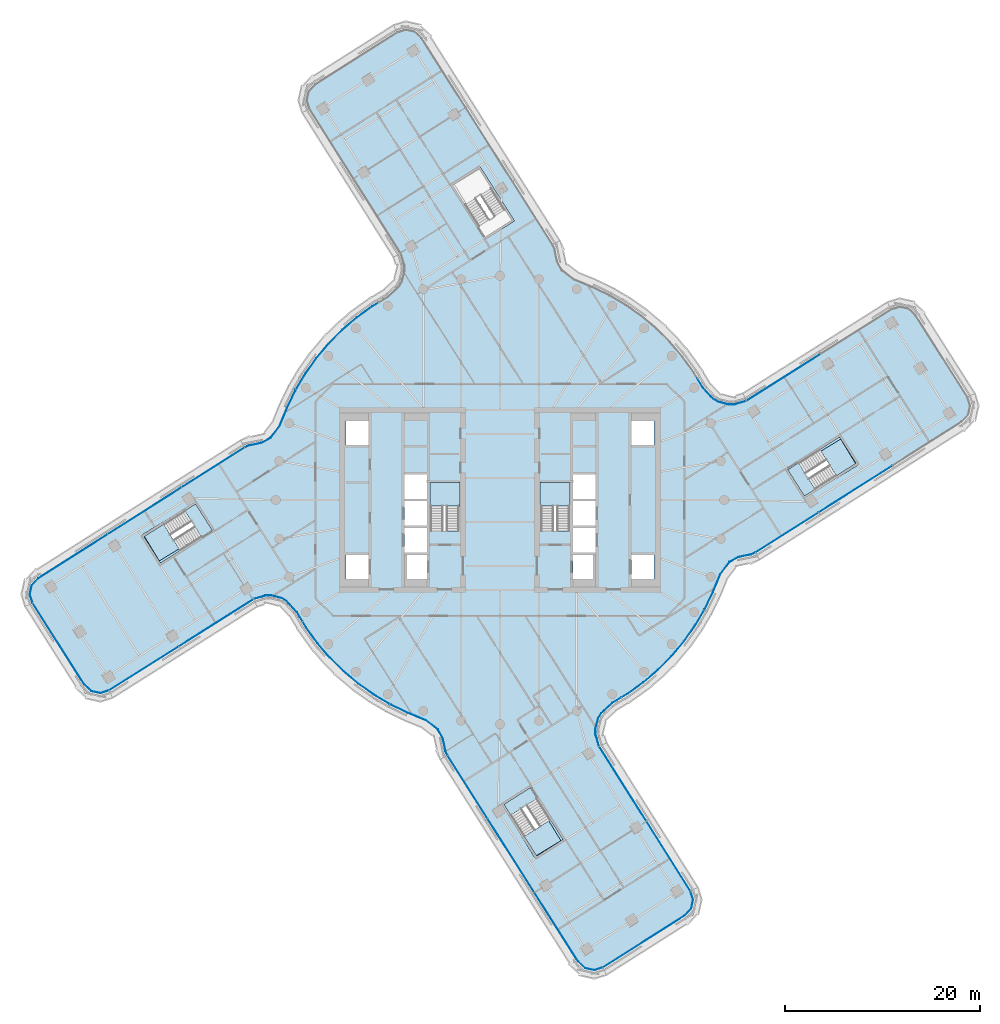
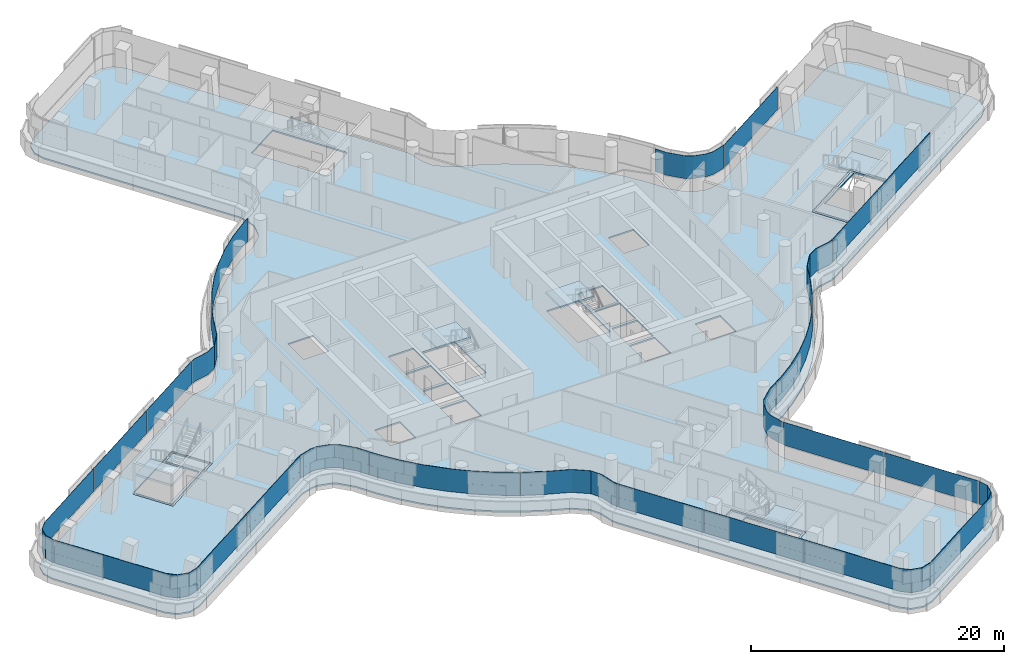
# One storey, part 21 of 36: 24 plates, 9 slabs, 17 elements without a shape of their own.
"""IFC4 building model written with IfcOpenShell, lengths in metres."""

from ifc_helpers import new_model, si_unit, direction, frame, origin, place, context, subcontext, project, spatial, polyline, outline, extrude, material, layer, layer_set, type_object, element, aggregate, save


model = new_model("IFC4")

# Units and contexts
model_context = context("Model", 3, precision=1e-05, world=origin(), true_north=direction((0.0, 1.0)))
body_context = subcontext(model_context, "Body", "Model", "MODEL_VIEW")
ifc_project = project(units=[si_unit("LENGTHUNIT", "METRE"), si_unit("AREAUNIT", "SQUARE_METRE"), si_unit("VOLUMEUNIT", "CUBIC_METRE"), si_unit("PLANEANGLEUNIT", "RADIAN"), si_unit("MASSUNIT", "GRAM", prefix="KILO")], contexts=[model_context])

# Site, building, storey
site_placement = place(None, origin())
site = spatial("IfcSite", under=ifc_project, at=site_placement, CompositionType="ELEMENT")
building_placement = place(site_placement, origin())
building = spatial("IfcBuilding", under=site, at=building_placement, Name="Tamarind Cross Interchange Tower", CompositionType="ELEMENT")
storey_placement = place(building_placement, frame((0.0, 0.0, 151.75)))
storey = spatial("IfcBuildingStorey", under=building, at=storey_placement, Name="L37", CompositionType="ELEMENT", Elevation=151.75)

# Slabs
ifc_material_1 = material(Name="Concrete C35", Category="concrete")
ifc_layer_1 = layer(ifc_material_1, 0.139892578125)
ifc_layer_set_1 = layer_set([ifc_layer_1], Name="Concrete C35")
slab_type_1 = type_object("IfcSlabType", Name="Composite slab 140 Concrete C35", PredefinedType="FLOOR", material=ifc_layer_set_1)
slab_1_placement = place(storey_placement, frame((0.0, 0.0, -0.139892578125)))
element("IfcSlab", 1, at=slab_1_placement, inside=storey, type_object=slab_type_1, Name="Floor slab L37", PredefinedType="FLOOR", context=body_context, shape_type="SweptSolid", body=[
    extrude(outline(polyline([(5.7783203125, 25.831787109375), (5.558349609375, 26.305419921875), (-7.887451171875, 47.501953125), (-8.6494140625, 48.202880859375), (-9.65966796875, 48.428955078125), (-10.647705078125, 48.119384765625), (-19.092041015625, 42.762939453125), (-19.79296875, 42.0009765625), (-20.018798828125, 40.99072265625), (-19.70947265625, 40.002685546875), (-10.350341796875, 25.1796875), (-10.002685546875, 24.02294921875), (-9.992919921875, 23.493408203125), (-10.26220703125, 22.458251953125), (-10.529296875, 22.000732421875), (-11.64892578125, 20.97265625), (-13.2109375, 20.031982421875), (-14.820068359375, 18.87255859375), (-16.327880859375, 17.584228515625), (-17.72412109375, 16.17578125), (-18.99951171875, 14.656982421875), (-20.14501953125, 13.0380859375), (-21.15283203125, 11.329833984375), (-22.01611328125, 9.54443359375), (-22.7685546875, 7.71044921875), (-23.6748046875, 6.52001953125), (-24.509521484375, 6.052978515625), (-25.1025390625, 5.9248046875), (-25.831787109375, 5.7783203125), (-26.305419921875, 5.558349609375), (-47.501953125, -7.887451171875), (-48.202880859375, -8.6494140625), (-48.428955078125, -9.65966796875), (-48.119384765625, -10.647705078125), (-42.762939453125, -19.092041015625), (-42.0009765625, -19.79296875), (-40.99072265625, -20.018798828125), (-40.002685546875, -19.70947265625), (-25.1796875, -10.350341796875), (-24.02294921875, -10.002685546875), (-23.493408203125, -9.992919921875), (-22.458251953125, -10.26220703125), (-22.000732421875, -10.529296875), (-20.97265625, -11.64892578125), (-20.031982421875, -13.2109375), (-18.87255859375, -14.820068359375), (-17.584228515625, -16.327880859375), (-16.17578125, -17.72412109375), (-14.656982421875, -18.99951171875), (-13.0380859375, -20.14501953125), (-11.329833984375, -21.15283203125), (-9.54443359375, -22.01611328125), (-7.71044921875, -22.7685546875), (-6.52001953125, -23.6748046875), (-6.052978515625, -24.509521484375), (-5.9248046875, -25.1025390625), (-5.7783203125, -25.831787109375), (-5.558349609375, -26.305419921875), (7.887451171875, -47.501953125), (8.6494140625, -48.202880859375), (9.65966796875, -48.428955078125), (10.647705078125, -48.119384765625), (19.092041015625, -42.762939453125), (19.79296875, -42.0009765625), (20.018798828125, -40.99072265625), (19.70947265625, -40.002685546875), (10.350341796875, -25.1796875), (10.002685546875, -24.02294921875), (9.992919921875, -23.493408203125), (10.26220703125, -22.458251953125), (10.529296875, -22.000732421875), (11.64892578125, -20.97265625), (13.2109375, -20.031982421875), (14.820068359375, -18.87255859375), (16.327880859375, -17.584228515625), (17.72412109375, -16.17578125), (18.99951171875, -14.656982421875), (20.14501953125, -13.0380859375), (21.15283203125, -11.329833984375), (22.01611328125, -9.54443359375), (22.7685546875, -7.71044921875), (23.6748046875, -6.52001953125), (24.509521484375, -6.052978515625), (25.1025390625, -5.9248046875), (25.831787109375, -5.7783203125), (26.305419921875, -5.558349609375), (47.501953125, 7.887451171875), (48.202880859375, 8.6494140625), (48.428955078125, 9.65966796875), (48.119384765625, 10.647705078125), (42.762939453125, 19.092041015625), (42.0009765625, 19.79296875), (40.99072265625, 20.018798828125), (40.002685546875, 19.70947265625), (25.1796875, 10.350341796875), (24.02294921875, 10.002685546875), (23.493408203125, 9.992919921875), (22.458251953125, 10.26220703125), (22.000732421875, 10.529296875), (20.97265625, 11.64892578125), (20.031982421875, 13.2109375), (18.87255859375, 14.820068359375), (17.584228515625, 16.327880859375), (16.17578125, 17.72412109375), (14.656982421875, 18.99951171875), (13.0380859375, 20.14501953125), (11.329833984375, 21.15283203125), (9.54443359375, 22.01611328125), (7.71044921875, 22.7685546875), (6.52001953125, 23.6748046875), (6.052978515625, 24.509521484375), (5.9248046875, 25.1025390625), (5.7783203125, 25.831787109375)]), holes=[polyline([(-7.5, -8.125), (-9.800048828125, -8.125), (-9.800048828125, -5.625), (-7.5, -5.625), (-7.5, -8.125)]), polyline([(-13.5, -8.125), (-15.800048828125, -8.125), (-15.800048828125, -5.625), (-13.5, -5.625), (-13.5, -8.125)]), polyline([(-31.15771484375, -0.125), (-31.050537109375, -0.293701171875), (-29.33642578125, -2.99609375), (-29.2294921875, -3.164794921875), (-34.88720703125, -6.75390625), (-34.994140625, -6.5849609375), (-36.708251953125, -3.8828125), (-36.8154296875, -3.7138671875), (-36.57470703125, -3.56103515625), (-36.60595703125, -3.509765625), (-33.79638671875, -1.798583984375), (-31.15771484375, -0.125)]), polyline([(-7.5, -5.375), (-9.800048828125, -5.375), (-9.800048828125, -2.875), (-7.5, -2.875), (-7.5, -5.375)]), polyline([(-7.5, -2.625), (-9.800048828125, -2.625), (-9.800048828125, -0.125), (-7.5, -0.125), (-7.5, -2.625)]), polyline([(-4.199951171875, 1.800048828125), (-4.199951171875, -3.18798828125), (-7.14990234375, -3.18798828125), (-7.14990234375, 1.800048828125), (-4.199951171875, 1.800048828125)]), polyline([(-7.5, 0.125), (-9.800048828125, 0.125), (-9.800048828125, 2.625), (-7.5, 2.625), (-7.5, 0.125)]), polyline([(-13.5, 5.625), (-15.800048828125, 5.625), (-15.800048828125, 8.125), (-13.5, 8.125), (-13.5, 5.625)]), polyline([(1.482177734375, 28.62451171875), (1.313232421875, 28.517333984375), (-1.388916015625, 26.80322265625), (-1.557861328125, 26.696044921875), (-5.146728515625, 32.353759765625), (-4.977783203125, 32.4609375), (-2.275634765625, 34.175048828125), (-2.106689453125, 34.2822265625), (-1.953857421875, 34.041015625), (-1.94921875, 34.043701171875), (-1.798583984375, 33.79638671875), (1.482177734375, 28.62451171875)]), polyline([(0.125, -31.15771484375), (0.293701171875, -31.050537109375), (2.99609375, -29.33642578125), (3.164794921875, -29.2294921875), (6.75390625, -34.88720703125), (6.5849609375, -34.994140625), (3.8828125, -36.708251953125), (3.7138671875, -36.8154296875), (3.56103515625, -36.57470703125), (3.509765625, -36.60595703125), (1.798583984375, -33.79638671875), (0.125, -31.15771484375)]), polyline([(13.5, -5.625), (15.800048828125, -5.625), (15.800048828125, -8.125), (13.5, -8.125), (13.5, -5.625)]), polyline([(7.5, -5.625), (9.800048828125, -5.625), (9.800048828125, -8.125), (7.5, -8.125), (7.5, -5.625)]), polyline([(7.5, -2.875), (9.800048828125, -2.875), (9.800048828125, -5.375), (7.5, -5.375), (7.5, -2.875)]), polyline([(7.5, -0.125), (9.800048828125, -0.125), (9.800048828125, -2.625), (7.5, -2.625), (7.5, -0.125)]), polyline([(7.14990234375, 1.800048828125), (7.14990234375, -3.18798828125), (4.199951171875, -3.18798828125), (4.199951171875, 1.800048828125), (7.14990234375, 1.800048828125)]), polyline([(7.5, 2.625), (9.800048828125, 2.625), (9.800048828125, 0.125), (7.5, 0.125), (7.5, 2.625)]), polyline([(31.15771484375, 0.125), (31.050537109375, 0.293701171875), (29.33642578125, 2.99609375), (29.2294921875, 3.164794921875), (34.88720703125, 6.75390625), (34.994140625, 6.5849609375), (36.708251953125, 3.8828125), (36.8154296875, 3.7138671875), (36.57470703125, 3.56103515625), (36.60595703125, 3.509765625), (33.79638671875, 1.798583984375), (31.15771484375, 0.125)]), polyline([(15.800048828125, 8.125), (15.800048828125, 5.625), (13.5, 5.625), (13.5, 8.125), (15.800048828125, 8.125)])]), origin(), (0.0, 0.0, 1.0), 0.139892578125),
])
slab_2_placement = place(storey_placement, frame((0.0, 0.0, -0.139892578125)))
element("IfcSlab", 2, at=slab_2_placement, inside=storey, type_object=slab_type_1, Name="Floor slab L37", PredefinedType="FLOOR", context=body_context, shape_type="SweptSolid", body=[
    extrude(outline(polyline([(-36.539306640625, -3.775634765625), (-34.8251953125, -6.477783203125), (-29.50537109375, -3.10302734375), (-31.219482421875, -0.40087890625), (-32.327392578125, -1.103759765625), (-30.704345703125, -3.662353515625), (-34.94140625, -6.242919921875), (-36.470703125, -3.73193359375), (-36.539306640625, -3.775634765625)])), origin(), (0.0, 0.0, 1.0), 0.139892578125),
])
slab_3_placement = place(storey_placement, frame((0.0, 0.0, -0.139892578125)))
element("IfcSlab", 3, at=slab_3_placement, inside=storey, type_object=slab_type_1, Name="Floor slab L37", PredefinedType="FLOOR", context=body_context, shape_type="SweptSolid", body=[
    extrude(outline(polyline([(3.775634765625, -36.539306640625), (6.477783203125, -34.8251953125), (3.10302734375, -29.50537109375), (0.40087890625, -31.219482421875), (1.103759765625, -32.327392578125), (3.662353515625, -30.704345703125), (6.242919921875, -34.94140625), (3.73193359375, -36.470703125), (3.775634765625, -36.539306640625)])), origin(), (0.0, 0.0, 1.0), 0.139892578125),
])
slab_4_placement = place(storey_placement, frame((0.0, 0.0, -0.139892578125)))
element("IfcSlab", 4, at=slab_4_placement, inside=storey, type_object=slab_type_1, Name="Floor slab L37", PredefinedType="FLOOR", context=body_context, shape_type="SweptSolid", body=[
    extrude(outline(polyline([(36.539306640625, 3.775634765625), (34.8251953125, 6.477783203125), (29.50537109375, 3.10302734375), (31.219482421875, 0.40087890625), (32.327392578125, 1.103759765625), (30.704345703125, 3.662353515625), (34.94140625, 6.242919921875), (36.470703125, 3.73193359375), (36.539306640625, 3.775634765625)])), origin(), (0.0, 0.0, 1.0), 0.139892578125),
])

# Stair, slab
ifc_material_2 = material(Name="Exit stair")
stair_type = type_object("IfcStairType", Name="Exit stair", PredefinedType="HALF_TURN_STAIR", material=ifc_material_2)
stair_1_placement = place(storey_placement, origin())
stair_1 = element("IfcStair", 5, at=stair_1_placement, inside=storey, type_object=stair_type, Name="L37 exit stair ST1", PredefinedType="HALF_TURN_STAIR")
ifc_material_3 = material(Name="Concrete C40", Category="concrete")
ifc_layer_2 = layer(ifc_material_3, 0.199951171875)
ifc_layer_set_2 = layer_set([ifc_layer_2], Name="Concrete C40")
slab_type_2 = type_object("IfcSlabType", Name="Stair landing", PredefinedType="LANDING", material=ifc_layer_set_2)
slab_5_placement = place(storey_placement, frame((0.0, 0.0, 1.675048828125)))
slab_5 = element("IfcSlab", 6, at=slab_5_placement, type_object=slab_type_2, Name="ST1 landing 1", PredefinedType="LANDING", context=body_context, shape_type="SweptSolid", body=[
    extrude(outline(polyline([(-4.10009765625, -0.60009765625), (-4.10009765625, 1.800048828125), (-7.199951171875, 1.800048828125), (-7.199951171875, -0.60009765625), (-4.10009765625, -0.60009765625)])), origin(), (0.0, 0.0, 1.0), 0.199951171875),
])
aggregate(stair_1, [slab_5])

stair_2_placement = place(storey_placement, origin())
stair_2 = element("IfcStair", 7, at=stair_2_placement, inside=storey, type_object=stair_type, Name="L37 exit stair ST2", PredefinedType="HALF_TURN_STAIR")
slab_6_placement = place(storey_placement, frame((0.0, 0.0, 1.675048828125)))
slab_6 = element("IfcSlab", 8, at=slab_6_placement, type_object=slab_type_2, Name="ST2 landing 1", PredefinedType="LANDING", context=body_context, shape_type="SweptSolid", body=[
    extrude(outline(polyline([(7.199951171875, -0.60009765625), (7.199951171875, 1.800048828125), (4.10009765625, 1.800048828125), (4.10009765625, -0.60009765625), (7.199951171875, -0.60009765625)])), origin(), (0.0, 0.0, 1.0), 0.199951171875),
])
aggregate(stair_2, [slab_6])

stair_3_placement = place(storey_placement, origin())
stair_3 = element("IfcStair", 9, at=stair_3_placement, inside=storey, type_object=stair_type, Name="L37 exit stair ST3", PredefinedType="HALF_TURN_STAIR")
slab_7_placement = place(storey_placement, frame((0.0, 0.0, 1.675048828125)))
slab_7 = element("IfcSlab", 10, at=slab_7_placement, type_object=slab_type_2, Name="ST3 landing 1", PredefinedType="LANDING", context=body_context, shape_type="SweptSolid", body=[
    extrude(outline(polyline([(34.502685546875, 2.483642578125), (36.53955078125, 3.775634765625), (34.8251953125, 6.477783203125), (32.78857421875, 5.185791015625), (34.502685546875, 2.483642578125)])), origin(), (0.0, 0.0, 1.0), 0.199951171875),
])
aggregate(stair_3, [slab_7])

stair_4_placement = place(storey_placement, origin())
stair_4 = element("IfcStair", 11, at=stair_4_placement, inside=storey, type_object=stair_type, Name="L37 exit stair ST5", PredefinedType="HALF_TURN_STAIR")
slab_8_placement = place(storey_placement, frame((0.0, 0.0, 1.675048828125)))
slab_8 = element("IfcSlab", 12, at=slab_8_placement, type_object=slab_type_2, Name="ST5 landing 1", PredefinedType="LANDING", context=body_context, shape_type="SweptSolid", body=[
    extrude(outline(polyline([(-34.502685546875, -2.483642578125), (-36.53955078125, -3.775634765625), (-34.8251953125, -6.477783203125), (-32.78857421875, -5.185791015625), (-34.502685546875, -2.483642578125)])), origin(), (0.0, 0.0, 1.0), 0.199951171875),
])
aggregate(stair_4, [slab_8])

stair_5_placement = place(storey_placement, origin())
stair_5 = element("IfcStair", 13, at=stair_5_placement, inside=storey, type_object=stair_type, Name="L37 exit stair ST6", PredefinedType="HALF_TURN_STAIR")
slab_9_placement = place(storey_placement, frame((0.0, 0.0, 1.675048828125)))
slab_9 = element("IfcSlab", 14, at=slab_9_placement, type_object=slab_type_2, Name="ST6 landing 1", PredefinedType="LANDING", context=body_context, shape_type="SweptSolid", body=[
    extrude(outline(polyline([(2.483642578125, -34.502685546875), (3.775634765625, -36.53955078125), (6.477783203125, -34.8251953125), (5.185791015625, -32.78857421875), (2.483642578125, -34.502685546875)])), origin(), (0.0, 0.0, 1.0), 0.199951171875),
])
aggregate(stair_5, [slab_9])

# Curtain wall, plates
ifc_material_4 = material(Name="Aluminium 6063-T6", Category="aluminium")
ifc_layer_3 = layer(ifc_material_4, 0.159912109375)
ifc_layer_set_3 = layer_set([ifc_layer_3], Name="Aluminium 6063-T6")
curtain_wall_type = type_object("IfcCurtainWallType", Name="Office curtain wall, 9.0 m bays", PredefinedType="NOTDEFINED", material=ifc_layer_set_3)
curtain_wall_1_placement = place(storey_placement, origin())
curtain_wall_1 = element("IfcCurtainWall", 15, at=curtain_wall_1_placement, inside=storey, type_object=curtain_wall_type, Name="CWS-L37-02", PredefinedType="NOTDEFINED")
ifc_material_5 = material(Name="Laminated low-e glass 8+1.52+8", Category="glass")
ifc_layer_4 = layer(ifc_material_5, 0.028076171875)
ifc_layer_set_4 = layer_set([ifc_layer_4], Name="Laminated low-e glass 8+1.52+8")
plate_type = type_object("IfcPlateType", Name="Vision panel CW1", PredefinedType="CURTAIN_PANEL", material=ifc_layer_set_4)
plate_1_placement = place(storey_placement, frame((0.0, 0.0, 1.39990234375)))
plate_1 = element("IfcPlate", 16, at=plate_1_placement, type_object=plate_type, Name="CWP-L37-02-01", PredefinedType="CURTAIN_PANEL", context=body_context, shape_type="SweptSolid", body=[
    extrude(outline(polyline([(-12.485107421875, 20.21923828125), (-13.093017578125, 19.853271484375), (-14.687744140625, 18.7041015625), (-16.18212890625, 17.42724609375), (-17.56591796875, 16.031494140625), (-18.829833984375, 14.526123046875), (-19.965087890625, 12.921630859375), (-20.899658203125, 11.337646484375), (-20.923828125, 11.351806640625), (-19.988525390625, 12.936767578125), (-18.85205078125, 14.543212890625), (-17.586669921875, 16.05029296875), (-16.201171875, 17.44775390625), (-14.705078125, 18.72607421875), (-13.1083984375, 19.87646484375), (-12.499755859375, 20.2431640625), (-12.485107421875, 20.21923828125)])), origin(), (0.0, 0.0, 1.0), 2.210205078125),
])
plate_2_placement = place(storey_placement, frame((0.0, 0.0, 1.39990234375)))
plate_2 = element("IfcPlate", 17, at=plate_2_placement, type_object=plate_type, Name="CWP-L37-02-02", PredefinedType="CURTAIN_PANEL", context=body_context, shape_type="SweptSolid", body=[
    extrude(outline(polyline([(-20.93017578125, 11.285888671875), (-20.9638671875, 11.228759765625), (-21.820556640625, 9.45703125), (-22.581298828125, 7.603271484375), (-23.53125, 6.35498046875), (-24.43310546875, 5.8505859375), (-25.058837890625, 5.71533203125), (-25.764892578125, 5.5732421875), (-26.17626953125, 5.38232421875), (-26.18798828125, 5.407958984375), (-25.773681640625, 5.60009765625), (-25.064697265625, 5.74267578125), (-24.443115234375, 5.877197265625), (-23.550048828125, 6.376708984375), (-22.605712890625, 7.6171875), (-21.84619140625, 9.468505859375), (-20.98876953125, 11.241943359375), (-20.954345703125, 11.300048828125), (-20.93017578125, 11.285888671875)])), origin(), (0.0, 0.0, 1.0), 2.210205078125),
])
aggregate(curtain_wall_1, [plate_1, plate_2])

curtain_wall_2_placement = place(storey_placement, origin())
curtain_wall_2 = element("IfcCurtainWall", 18, at=curtain_wall_2_placement, inside=storey, type_object=curtain_wall_type, Name="CWS-L37-03", PredefinedType="NOTDEFINED")
plate_3_placement = place(storey_placement, frame((0.0, 0.0, 1.39990234375)))
plate_3 = element("IfcPlate", 19, at=plate_3_placement, type_object=plate_type, Name="CWP-L37-03-00", PredefinedType="CURTAIN_PANEL", context=body_context, shape_type="SweptSolid", body=[
    extrude(outline(polyline([(-26.227294921875, 5.354736328125), (-32.619384765625, 1.2998046875), (-32.63427734375, 1.323486328125), (-26.2421875, 5.378173828125), (-26.227294921875, 5.354736328125)])), origin(), (0.0, 0.0, 1.0), 2.210205078125),
])
plate_4_placement = place(storey_placement, frame((0.0, 0.0, 1.39990234375)))
plate_4 = element("IfcPlate", 20, at=plate_4_placement, type_object=plate_type, Name="CWP-L37-03-01", PredefinedType="CURTAIN_PANEL", context=body_context, shape_type="SweptSolid", body=[
    extrude(outline(polyline([(-32.669921875, 1.267578125), (-40.207275390625, -3.513671875), (-40.222412109375, -3.489990234375), (-32.68505859375, 1.291259765625), (-32.669921875, 1.267578125)])), origin(), (0.0, 0.0, 1.0), 2.210205078125),
])
plate_5_placement = place(storey_placement, frame((0.0, 0.0, 1.39990234375)))
plate_5 = element("IfcPlate", 21, at=plate_5_placement, type_object=plate_type, Name="CWP-L37-03-02", PredefinedType="CURTAIN_PANEL", context=body_context, shape_type="SweptSolid", body=[
    extrude(outline(polyline([(-40.258056640625, -3.545654296875), (-47.363525390625, -8.052978515625), (-48.006591796875, -8.752197265625), (-48.20751953125, -9.650390625), (-47.93212890625, -10.530029296875), (-47.958984375, -10.538330078125), (-48.236572265625, -9.651611328125), (-48.0322265625, -8.738525390625), (-47.381591796875, -8.031494140625), (-40.27294921875, -3.52197265625), (-40.258056640625, -3.545654296875)])), origin(), (0.0, 0.0, 1.0), 2.210205078125),
])
aggregate(curtain_wall_2, [plate_3, plate_4, plate_5])

# Curtain wall, plate
curtain_wall_3_placement = place(storey_placement, origin())
curtain_wall_3 = element("IfcCurtainWall", 22, at=curtain_wall_3_placement, inside=storey, type_object=curtain_wall_type, Name="CWS-L37-04", PredefinedType="NOTDEFINED")
plate_6_placement = place(storey_placement, frame((0.0, 0.0, 1.39990234375)))
plate_6 = element("IfcPlate", 23, at=plate_6_placement, type_object=plate_type, Name="CWP-L37-04-00", PredefinedType="CURTAIN_PANEL", context=body_context, shape_type="SweptSolid", body=[
    extrude(outline(polyline([(-47.90869140625, -10.58056640625), (-42.597412109375, -18.95361328125), (-41.898193359375, -19.5966796875), (-41.0, -19.797607421875), (-40.1201171875, -19.52197265625), (-40.11181640625, -19.548828125), (-40.998779296875, -19.826416015625), (-41.91162109375, -19.622314453125), (-42.618896484375, -18.9716796875), (-47.932373046875, -10.595703125), (-47.90869140625, -10.58056640625)])), origin(), (0.0, 0.0, 1.0), 2.210205078125),
])
aggregate(curtain_wall_3, [plate_6])

# Curtain wall, plates
curtain_wall_4_placement = place(storey_placement, origin())
curtain_wall_4 = element("IfcCurtainWall", 24, at=curtain_wall_4_placement, inside=storey, type_object=curtain_wall_type, Name="CWS-L37-05", PredefinedType="NOTDEFINED")
plate_7_placement = place(storey_placement, frame((0.0, 0.0, 1.39990234375)))
plate_7 = element("IfcPlate", 25, at=plate_7_placement, type_object=plate_type, Name="CWP-L37-05-00", PredefinedType="CURTAIN_PANEL", context=body_context, shape_type="SweptSolid", body=[
    extrude(outline(polyline([(-40.069580078125, -19.49853515625), (-32.966552734375, -15.013916015625), (-32.95166015625, -15.03759765625), (-40.0546875, -19.522216796875), (-40.069580078125, -19.49853515625)])), origin(), (0.0, 0.0, 1.0), 2.210205078125),
])
plate_8_placement = place(storey_placement, frame((0.0, 0.0, 1.39990234375)))
plate_8 = element("IfcPlate", 26, at=plate_8_placement, type_object=plate_type, Name="CWP-L37-05-01", PredefinedType="CURTAIN_PANEL", context=body_context, shape_type="SweptSolid", body=[
    extrude(outline(polyline([(-32.915771484375, -14.98193359375), (-25.296142578125, -10.1708984375), (-25.28125, -10.194580078125), (-32.90087890625, -15.005615234375), (-32.915771484375, -14.98193359375)])), origin(), (0.0, 0.0, 1.0), 2.210205078125),
])
aggregate(curtain_wall_4, [plate_7, plate_8])

curtain_wall_5_placement = place(storey_placement, origin())
curtain_wall_5 = element("IfcCurtainWall", 27, at=curtain_wall_5_placement, inside=storey, type_object=curtain_wall_type, Name="CWS-L37-06", PredefinedType="NOTDEFINED")
plate_9_placement = place(storey_placement, frame((0.0, 0.0, 1.39990234375)))
plate_9 = element("IfcPlate", 28, at=plate_9_placement, type_object=plate_type, Name="CWP-L37-06-00", PredefinedType="CURTAIN_PANEL", context=body_context, shape_type="SweptSolid", body=[
    extrude(outline(polyline([(-25.238525390625, -10.14453125), (-24.056396484375, -9.789306640625), (-23.4677734375, -9.7783203125), (-22.375732421875, -10.062744140625), (-21.864990234375, -10.360595703125), (-20.80029296875, -11.52001953125), (-20.25, -12.433837890625), (-20.274169921875, -12.4482421875), (-20.822998046875, -11.536865234375), (-21.8828125, -10.3828125), (-22.38671875, -10.0888671875), (-23.47119140625, -9.806396484375), (-24.052001953125, -9.817138671875), (-25.23046875, -10.17138671875), (-25.238525390625, -10.14453125)])), origin(), (0.0, 0.0, 1.0), 2.210205078125),
])
plate_10_placement = place(storey_placement, frame((0.0, 0.0, 1.39990234375)))
plate_10 = element("IfcPlate", 29, at=plate_10_placement, type_object=plate_type, Name="CWP-L37-06-01", PredefinedType="CURTAIN_PANEL", context=body_context, shape_type="SweptSolid", body=[
    extrude(outline(polyline([(-20.21923828125, -12.485107421875), (-19.853271484375, -13.093017578125), (-18.7041015625, -14.687744140625), (-17.42724609375, -16.18212890625), (-16.031494140625, -17.56591796875), (-14.526123046875, -18.829833984375), (-12.921630859375, -19.965087890625), (-11.337646484375, -20.899658203125), (-11.351806640625, -20.923828125), (-12.936767578125, -19.988525390625), (-14.543212890625, -18.85205078125), (-16.05029296875, -17.586669921875), (-17.44775390625, -16.201171875), (-18.72607421875, -14.705078125), (-19.87646484375, -13.1083984375), (-20.2431640625, -12.499755859375), (-20.21923828125, -12.485107421875)])), origin(), (0.0, 0.0, 1.0), 2.210205078125),
])
plate_11_placement = place(storey_placement, frame((0.0, 0.0, 1.39990234375)))
plate_11 = element("IfcPlate", 30, at=plate_11_placement, type_object=plate_type, Name="CWP-L37-06-02", PredefinedType="CURTAIN_PANEL", context=body_context, shape_type="SweptSolid", body=[
    extrude(outline(polyline([(-11.285888671875, -20.93017578125), (-11.228759765625, -20.9638671875), (-9.45703125, -21.820556640625), (-7.603271484375, -22.581298828125), (-6.35498046875, -23.53125), (-5.8505859375, -24.43310546875), (-5.71533203125, -25.058837890625), (-5.5732421875, -25.764892578125), (-5.38232421875, -26.17626953125), (-5.407958984375, -26.18798828125), (-5.60009765625, -25.773681640625), (-5.74267578125, -25.064697265625), (-5.877197265625, -24.443115234375), (-6.376708984375, -23.550048828125), (-7.6171875, -22.605712890625), (-9.468505859375, -21.84619140625), (-11.241943359375, -20.98876953125), (-11.300048828125, -20.954345703125), (-11.285888671875, -20.93017578125)])), origin(), (0.0, 0.0, 1.0), 2.210205078125),
])
aggregate(curtain_wall_5, [plate_9, plate_10, plate_11])

curtain_wall_6_placement = place(storey_placement, origin())
curtain_wall_6 = element("IfcCurtainWall", 31, at=curtain_wall_6_placement, inside=storey, type_object=curtain_wall_type, Name="CWS-L37-07", PredefinedType="NOTDEFINED")
plate_12_placement = place(storey_placement, frame((0.0, 0.0, 1.39990234375)))
plate_12 = element("IfcPlate", 32, at=plate_12_placement, type_object=plate_type, Name="CWP-L37-07-00", PredefinedType="CURTAIN_PANEL", context=body_context, shape_type="SweptSolid", body=[
    extrude(outline(polyline([(-5.354736328125, -26.227294921875), (-1.2998046875, -32.619384765625), (-1.323486328125, -32.63427734375), (-5.378173828125, -26.2421875), (-5.354736328125, -26.227294921875)])), origin(), (0.0, 0.0, 1.0), 2.210205078125),
])
plate_13_placement = place(storey_placement, frame((0.0, 0.0, 1.39990234375)))
plate_13 = element("IfcPlate", 33, at=plate_13_placement, type_object=plate_type, Name="CWP-L37-07-01", PredefinedType="CURTAIN_PANEL", context=body_context, shape_type="SweptSolid", body=[
    extrude(outline(polyline([(-1.267578125, -32.669921875), (3.513671875, -40.207275390625), (3.489990234375, -40.222412109375), (-1.291259765625, -32.68505859375), (-1.267578125, -32.669921875)])), origin(), (0.0, 0.0, 1.0), 2.210205078125),
])
plate_14_placement = place(storey_placement, frame((0.0, 0.0, 1.39990234375)))
plate_14 = element("IfcPlate", 34, at=plate_14_placement, type_object=plate_type, Name="CWP-L37-07-02", PredefinedType="CURTAIN_PANEL", context=body_context, shape_type="SweptSolid", body=[
    extrude(outline(polyline([(3.545654296875, -40.258056640625), (8.052978515625, -47.363525390625), (8.752197265625, -48.006591796875), (9.650390625, -48.20751953125), (10.530029296875, -47.93212890625), (10.538330078125, -47.958984375), (9.651611328125, -48.236572265625), (8.738525390625, -48.0322265625), (8.031494140625, -47.381591796875), (3.52197265625, -40.27294921875), (3.545654296875, -40.258056640625)])), origin(), (0.0, 0.0, 1.0), 2.210205078125),
])
aggregate(curtain_wall_6, [plate_12, plate_13, plate_14])

# Curtain wall, plate
curtain_wall_7_placement = place(storey_placement, origin())
curtain_wall_7 = element("IfcCurtainWall", 35, at=curtain_wall_7_placement, inside=storey, type_object=curtain_wall_type, Name="CWS-L37-08", PredefinedType="NOTDEFINED")
plate_15_placement = place(storey_placement, frame((0.0, 0.0, 1.39990234375)))
plate_15 = element("IfcPlate", 36, at=plate_15_placement, type_object=plate_type, Name="CWP-L37-08-00", PredefinedType="CURTAIN_PANEL", context=body_context, shape_type="SweptSolid", body=[
    extrude(outline(polyline([(10.58056640625, -47.90869140625), (18.95361328125, -42.597412109375), (19.5966796875, -41.898193359375), (19.797607421875, -41.0), (19.52197265625, -40.1201171875), (19.548828125, -40.11181640625), (19.826416015625, -40.998779296875), (19.622314453125, -41.91162109375), (18.9716796875, -42.618896484375), (10.595703125, -47.932373046875), (10.58056640625, -47.90869140625)])), origin(), (0.0, 0.0, 1.0), 2.210205078125),
])
aggregate(curtain_wall_7, [plate_15])

# Curtain wall, plates
curtain_wall_8_placement = place(storey_placement, origin())
curtain_wall_8 = element("IfcCurtainWall", 37, at=curtain_wall_8_placement, inside=storey, type_object=curtain_wall_type, Name="CWS-L37-09", PredefinedType="NOTDEFINED")
plate_16_placement = place(storey_placement, frame((0.0, 0.0, 1.39990234375)))
plate_16 = element("IfcPlate", 38, at=plate_16_placement, type_object=plate_type, Name="CWP-L37-09-00", PredefinedType="CURTAIN_PANEL", context=body_context, shape_type="SweptSolid", body=[
    extrude(outline(polyline([(19.49853515625, -40.069580078125), (15.013916015625, -32.966552734375), (15.03759765625, -32.95166015625), (19.522216796875, -40.0546875), (19.49853515625, -40.069580078125)])), origin(), (0.0, 0.0, 1.0), 2.210205078125),
])
plate_17_placement = place(storey_placement, frame((0.0, 0.0, 1.39990234375)))
plate_17 = element("IfcPlate", 39, at=plate_17_placement, type_object=plate_type, Name="CWP-L37-09-01", PredefinedType="CURTAIN_PANEL", context=body_context, shape_type="SweptSolid", body=[
    extrude(outline(polyline([(14.98193359375, -32.915771484375), (10.1708984375, -25.296142578125), (10.194580078125, -25.28125), (15.005615234375, -32.90087890625), (14.98193359375, -32.915771484375)])), origin(), (0.0, 0.0, 1.0), 2.210205078125),
])
aggregate(curtain_wall_8, [plate_16, plate_17])

curtain_wall_9_placement = place(storey_placement, origin())
curtain_wall_9 = element("IfcCurtainWall", 40, at=curtain_wall_9_placement, inside=storey, type_object=curtain_wall_type, Name="CWS-L37-10", PredefinedType="NOTDEFINED")
plate_18_placement = place(storey_placement, frame((0.0, 0.0, 1.39990234375)))
plate_18 = element("IfcPlate", 41, at=plate_18_placement, type_object=plate_type, Name="CWP-L37-10-00", PredefinedType="CURTAIN_PANEL", context=body_context, shape_type="SweptSolid", body=[
    extrude(outline(polyline([(10.14453125, -25.238525390625), (9.789306640625, -24.056396484375), (9.7783203125, -23.4677734375), (10.062744140625, -22.375732421875), (10.360595703125, -21.864990234375), (11.52001953125, -20.80029296875), (12.433837890625, -20.25), (12.4482421875, -20.274169921875), (11.536865234375, -20.822998046875), (10.3828125, -21.8828125), (10.0888671875, -22.38671875), (9.806396484375, -23.47119140625), (9.817138671875, -24.052001953125), (10.17138671875, -25.23046875), (10.14453125, -25.238525390625)])), origin(), (0.0, 0.0, 1.0), 2.210205078125),
])
plate_19_placement = place(storey_placement, frame((0.0, 0.0, 1.39990234375)))
plate_19 = element("IfcPlate", 42, at=plate_19_placement, type_object=plate_type, Name="CWP-L37-10-01", PredefinedType="CURTAIN_PANEL", context=body_context, shape_type="SweptSolid", body=[
    extrude(outline(polyline([(12.485107421875, -20.21923828125), (13.093017578125, -19.853271484375), (14.687744140625, -18.7041015625), (16.18212890625, -17.42724609375), (17.56591796875, -16.031494140625), (18.829833984375, -14.526123046875), (19.965087890625, -12.921630859375), (20.899658203125, -11.337646484375), (20.923828125, -11.351806640625), (19.988525390625, -12.936767578125), (18.85205078125, -14.543212890625), (17.586669921875, -16.05029296875), (16.201171875, -17.44775390625), (14.705078125, -18.72607421875), (13.1083984375, -19.87646484375), (12.499755859375, -20.2431640625), (12.485107421875, -20.21923828125)])), origin(), (0.0, 0.0, 1.0), 2.210205078125),
])
plate_20_placement = place(storey_placement, frame((0.0, 0.0, 1.39990234375)))
plate_20 = element("IfcPlate", 43, at=plate_20_placement, type_object=plate_type, Name="CWP-L37-10-02", PredefinedType="CURTAIN_PANEL", context=body_context, shape_type="SweptSolid", body=[
    extrude(outline(polyline([(20.93017578125, -11.285888671875), (20.9638671875, -11.228759765625), (21.820556640625, -9.45703125), (22.581298828125, -7.603271484375), (23.53125, -6.35498046875), (24.43310546875, -5.8505859375), (25.058837890625, -5.71533203125), (25.764892578125, -5.5732421875), (26.17626953125, -5.38232421875), (26.18798828125, -5.407958984375), (25.773681640625, -5.60009765625), (25.064697265625, -5.74267578125), (24.443115234375, -5.877197265625), (23.550048828125, -6.376708984375), (22.605712890625, -7.6171875), (21.84619140625, -9.468505859375), (20.98876953125, -11.241943359375), (20.954345703125, -11.300048828125), (20.93017578125, -11.285888671875)])), origin(), (0.0, 0.0, 1.0), 2.210205078125),
])
aggregate(curtain_wall_9, [plate_18, plate_19, plate_20])

curtain_wall_10_placement = place(storey_placement, origin())
curtain_wall_10 = element("IfcCurtainWall", 44, at=curtain_wall_10_placement, inside=storey, type_object=curtain_wall_type, Name="CWS-L37-11", PredefinedType="NOTDEFINED")
plate_21_placement = place(storey_placement, frame((0.0, 0.0, 1.39990234375)))
plate_21 = element("IfcPlate", 45, at=plate_21_placement, type_object=plate_type, Name="CWP-L37-11-00", PredefinedType="CURTAIN_PANEL", context=body_context, shape_type="SweptSolid", body=[
    extrude(outline(polyline([(26.227294921875, -5.354736328125), (32.619384765625, -1.2998046875), (32.63427734375, -1.323486328125), (26.2421875, -5.378173828125), (26.227294921875, -5.354736328125)])), origin(), (0.0, 0.0, 1.0), 2.210205078125),
])
plate_22_placement = place(storey_placement, frame((0.0, 0.0, 1.39990234375)))
plate_22 = element("IfcPlate", 46, at=plate_22_placement, type_object=plate_type, Name="CWP-L37-11-01", PredefinedType="CURTAIN_PANEL", context=body_context, shape_type="SweptSolid", body=[
    extrude(outline(polyline([(32.669921875, -1.267578125), (40.207275390625, 3.513671875), (40.222412109375, 3.489990234375), (32.68505859375, -1.291259765625), (32.669921875, -1.267578125)])), origin(), (0.0, 0.0, 1.0), 2.210205078125),
])
aggregate(curtain_wall_10, [plate_21, plate_22])

# Curtain wall, plate
curtain_wall_11_placement = place(storey_placement, origin())
curtain_wall_11 = element("IfcCurtainWall", 47, at=curtain_wall_11_placement, inside=storey, type_object=curtain_wall_type, Name="CWS-L37-13", PredefinedType="NOTDEFINED")
plate_23_placement = place(storey_placement, frame((0.0, 0.0, 1.39990234375)))
plate_23 = element("IfcPlate", 48, at=plate_23_placement, type_object=plate_type, Name="CWP-L37-13-01", PredefinedType="CURTAIN_PANEL", context=body_context, shape_type="SweptSolid", body=[
    extrude(outline(polyline([(32.915771484375, 14.98193359375), (25.296142578125, 10.1708984375), (25.28125, 10.194580078125), (32.90087890625, 15.005615234375), (32.915771484375, 14.98193359375)])), origin(), (0.0, 0.0, 1.0), 2.210205078125),
])
aggregate(curtain_wall_11, [plate_23])

curtain_wall_12_placement = place(storey_placement, origin())
curtain_wall_12 = element("IfcCurtainWall", 49, at=curtain_wall_12_placement, inside=storey, type_object=curtain_wall_type, Name="CWS-L37-14", PredefinedType="NOTDEFINED")
plate_24_placement = place(storey_placement, frame((0.0, 0.0, 1.39990234375)))
plate_24 = element("IfcPlate", 50, at=plate_24_placement, type_object=plate_type, Name="CWP-L37-14-00", PredefinedType="CURTAIN_PANEL", context=body_context, shape_type="SweptSolid", body=[
    extrude(outline(polyline([(25.238525390625, 10.14453125), (24.056396484375, 9.789306640625), (23.4677734375, 9.7783203125), (22.375732421875, 10.062744140625), (21.864990234375, 10.360595703125), (20.80029296875, 11.52001953125), (20.25, 12.433837890625), (20.274169921875, 12.4482421875), (20.822998046875, 11.536865234375), (21.8828125, 10.3828125), (22.38671875, 10.0888671875), (23.47119140625, 9.806396484375), (24.052001953125, 9.817138671875), (25.23046875, 10.17138671875), (25.238525390625, 10.14453125)])), origin(), (0.0, 0.0, 1.0), 2.210205078125),
])
aggregate(curtain_wall_12, [plate_24])

save(model, "model.ifc")
